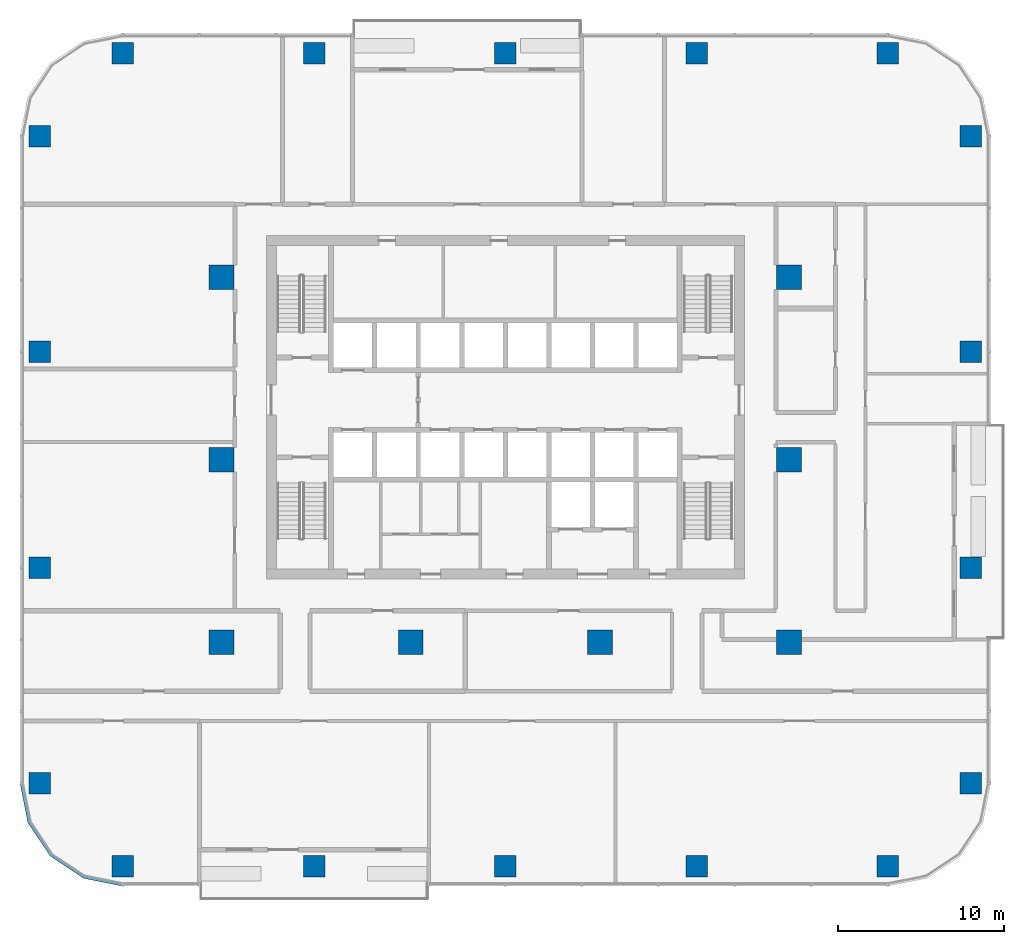
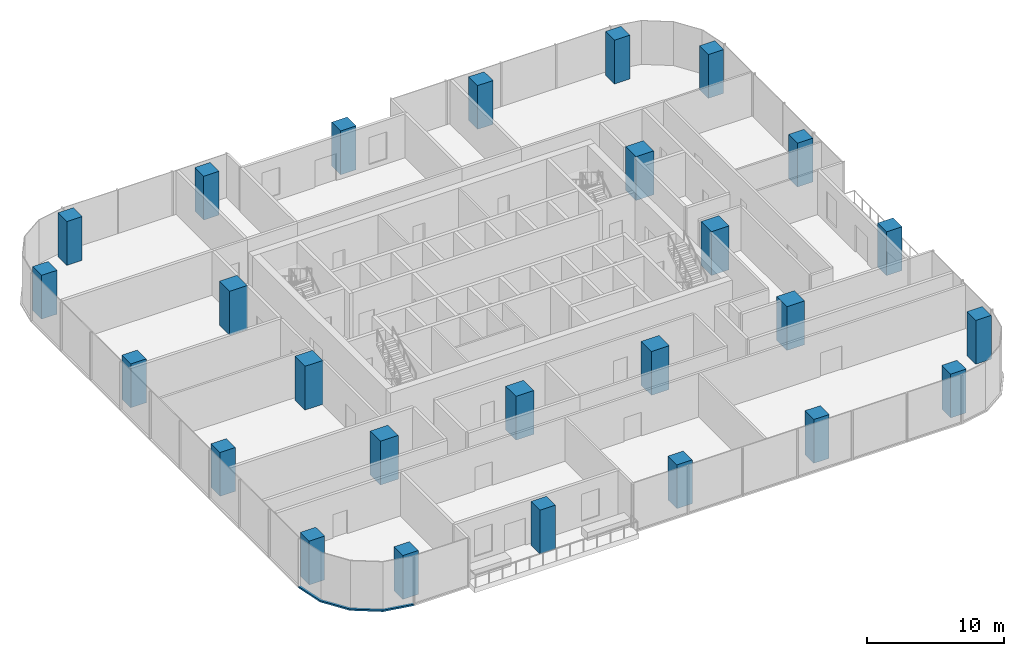
# One storey, part 1 of 14: 26 columns, 1 member, 1 element without a shape of its own.
"""IFC4 building model written with IfcOpenShell, lengths in metres."""

from ifc_helpers import new_model, si_unit, direction, frame, origin, origin_2d, place, context, subcontext, project, spatial, polyline, rectangle, outline, extrude, material, material_profile, profile_set, type_object, element, aggregate, save


model = new_model("IFC4")

# Units and contexts
model_context = context("Model", 3, precision=1e-05, world=origin(), true_north=direction((0.0, 1.0)))
body_context = subcontext(model_context, "Body", "Model", "MODEL_VIEW")
ifc_project = project(units=[si_unit("LENGTHUNIT", "METRE"), si_unit("AREAUNIT", "SQUARE_METRE"), si_unit("VOLUMEUNIT", "CUBIC_METRE"), si_unit("PLANEANGLEUNIT", "RADIAN"), si_unit("MASSUNIT", "GRAM", prefix="KILO")], contexts=[model_context])

# Site, building, storey
site_placement = place(None, origin())
site = spatial("IfcSite", under=ifc_project, at=site_placement, CompositionType="ELEMENT")
building_placement = place(site_placement, origin())
building = spatial("IfcBuilding", under=site, at=building_placement, Name="Mopane Tessera Tower", CompositionType="ELEMENT")
storey_placement = place(building_placement, frame((0.0, 0.0, 144.10009765625)))
storey = spatial("IfcBuildingStorey", under=building, at=storey_placement, Name="L29", CompositionType="ELEMENT", Elevation=144.10009765625)

# Columns
ifc_material_1 = material(Name="Concrete C60/75", Category="concrete")
ifc_material_profile_1 = material_profile(ifc_material_1, rectangle(XDim=1.5, YDim=1.5, at=origin_2d()))
ifc_profile_set_1 = profile_set([ifc_material_profile_1], Name="Concrete C60/75")
column_type_1 = type_object("IfcColumnType", Name="Interior column 1500 x 1500 C60/75", PredefinedType="COLUMN", material=ifc_profile_set_1)
for number, where, z_axis, x_axis, name in (
    (1, (-17.10009765625, -11.0, 0.0), (0.0, 0.0, 1.0), (1.0, 0.0, 0.0), "Interior column I1A L29"),
    (2, (-17.10009765625, 0.0, 0.0), (0.0, 0.0, 1.0), (1.0, 0.0, 0.0), "Interior column I1B L29"),
    (3, (-17.10009765625, 11.0, 0.0), (0.0, 0.0, 1.0), (1.0, 0.0, 0.0), "Interior column I1C L29"),
    (4, (-5.699951171875, -11.0, 0.0), (0.0, 0.0, 1.0), (1.0, 0.0, 0.0), "Interior column I2A L29"),
    (5, (5.699951171875, -11.0, 0.0), (0.0, 0.0, 1.0), (1.0, 0.0, 0.0), "Interior column I3A L29"),
    (6, (17.10009765625, -11.0, 0.0), (0.0, 0.0, 1.0), (1.0, 0.0, 0.0), "Interior column I4A L29"),
    (7, (17.10009765625, 0.0, 0.0), (0.0, 0.0, 1.0), (1.0, 0.0, 0.0), "Interior column I4B L29"),
    (8, (17.10009765625, 11.0, 0.0), (0.0, 0.0, 1.0), (1.0, 0.0, 0.0), "Interior column I4C L29"),
):
    element("IfcColumn", number, at=place(storey_placement, frame(where, z_axis=z_axis, x_axis=x_axis)), inside=storey, type_object=column_type_1, Name=name, PredefinedType="COLUMN", context=body_context, shape_type="SweptSolid", body=[
        extrude(rectangle(XDim=1.5, YDim=1.5, at=origin_2d()), origin(), (0.0, 0.0, 1.0), 3.89990234375),
    ])
ifc_material_2 = material(Name="Concrete C60/75", Category="concrete")
ifc_material_profile_2 = material_profile(ifc_material_2, rectangle(XDim=1.300048828125, YDim=1.300048828125, at=origin_2d()))
ifc_profile_set_2 = profile_set([ifc_material_profile_2], Name="Concrete C60/75")
column_type_2 = type_object("IfcColumnType", Name="Ring column 1300 x 1300 C60/75", PredefinedType="COLUMN", material=ifc_profile_set_2)
for number, where, z_axis, x_axis, name in (
    (9, (-23.050048828125, -24.5, 0.0), (0.0, 0.0, 1.0), (1.0, 0.0, 0.0), "Ring column S0 L29"),
    (10, (-11.52490234375, -24.5, 0.0), (0.0, 0.0, 1.0), (1.0, 0.0, 0.0), "Ring column S1 L29"),
    (11, (0.0, -24.5, 0.0), (0.0, 0.0, 1.0), (1.0, 0.0, 0.0), "Ring column S2 L29"),
    (12, (11.52490234375, -24.5, 0.0), (0.0, 0.0, 1.0), (1.0, 0.0, 0.0), "Ring column S3 L29"),
    (13, (23.050048828125, -24.5, 0.0), (0.0, 0.0, 1.0), (1.0, 0.0, 0.0), "Ring column S4 L29"),
    (14, (28.050048828125, -19.5, 0.0), (0.0, 0.0, 1.0), (1.0, 0.0, 0.0), "Ring column E0 L29"),
    (15, (28.050048828125, -6.5, 0.0), (0.0, 0.0, 1.0), (1.0, 0.0, 0.0), "Ring column E1 L29"),
    (16, (28.050048828125, 6.5, 0.0), (0.0, 0.0, 1.0), (1.0, 0.0, 0.0), "Ring column E2 L29"),
    (17, (28.050048828125, 19.5, 0.0), (0.0, 0.0, 1.0), (1.0, 0.0, 0.0), "Ring column E3 L29"),
    (18, (23.050048828125, 24.5, 0.0), (0.0, 0.0, 1.0), (1.0, 0.0, 0.0), "Ring column N0 L29"),
    (19, (11.52490234375, 24.5, 0.0), (0.0, 0.0, 1.0), (1.0, 0.0, 0.0), "Ring column N1 L29"),
    (20, (0.0, 24.5, 0.0), (0.0, 0.0, 1.0), (1.0, 0.0, 0.0), "Ring column N2 L29"),
    (21, (-11.52490234375, 24.5, 0.0), (0.0, 0.0, 1.0), (1.0, 0.0, 0.0), "Ring column N3 L29"),
    (22, (-23.050048828125, 24.5, 0.0), (0.0, 0.0, 1.0), (1.0, 0.0, 0.0), "Ring column N4 L29"),
    (23, (-28.050048828125, 19.5, 0.0), (0.0, 0.0, 1.0), (1.0, 0.0, 0.0), "Ring column W0 L29"),
    (24, (-28.050048828125, 6.5, 0.0), (0.0, 0.0, 1.0), (1.0, 0.0, 0.0), "Ring column W1 L29"),
    (25, (-28.050048828125, -6.5, 0.0), (0.0, 0.0, 1.0), (1.0, 0.0, 0.0), "Ring column W2 L29"),
    (26, (-28.050048828125, -19.5, 0.0), (0.0, 0.0, 1.0), (1.0, 0.0, 0.0), "Ring column W3 L29"),
):
    element("IfcColumn", number, at=place(storey_placement, frame(where, z_axis=z_axis, x_axis=x_axis)), inside=storey, type_object=column_type_2, Name=name, PredefinedType="COLUMN", context=body_context, shape_type="SweptSolid", body=[
        extrude(rectangle(XDim=1.300048828125, YDim=1.300048828125, at=origin_2d()), origin(), (0.0, 0.0, 1.0), 3.89990234375),
    ])

# Curtain wall, member
ifc_material_3 = material(Name="Aluminium frame", Category="aluminium")
curtain_wall_type = type_object("IfcCurtainWallType", Name="Lower tower unitised wall", PredefinedType="NOTDEFINED", material=ifc_material_3)
curtain_wall_placement = place(storey_placement, origin())
curtain_wall = element("IfcCurtainWall", 27, at=curtain_wall_placement, inside=storey, type_object=curtain_wall_type, Name="e:cw:L29:CW", PredefinedType="NOTDEFINED")
ifc_material_4 = material(Name="Aluminium frame", Category="aluminium")
ifc_material_profile_3 = material_profile(ifc_material_4, rectangle(XDim=0.199951171875, YDim=0.139892578125, at=origin_2d()))
ifc_profile_set_3 = profile_set([ifc_material_profile_3], Name="Aluminium frame")
member_type = type_object("IfcMemberType", Name="Aluminium transom 200 x 140", PredefinedType="USERDEFINED", material=ifc_profile_set_3)
member_placement = place(storey_placement, frame((0.0, 0.0, -0.4501953125)))
member = element("IfcMember", 28, at=member_placement, type_object=member_type, Name="e:cw:L29:CW:tr", ObjectType="TRANSOM", PredefinedType="USERDEFINED", context=body_context, shape_type="SweptSolid", body=[
    extrude(outline(polyline([(-29.050048828125, -19.5), (-28.59326171875, -21.796142578125), (-27.292724609375, -23.74267578125), (-25.34619140625, -25.043212890625), (-23.050048828125, -25.5), (-23.050048828125, -25.699951171875), (-25.422607421875, -25.22802734375), (-27.43408203125, -23.884033203125), (-28.778076171875, -21.87255859375), (-29.25, -19.5), (-29.050048828125, -19.5)])), origin(), (0.0, 0.0, 1.0), 0.14013671875),
])
aggregate(curtain_wall, [member])

save(model, "model.ifc")
